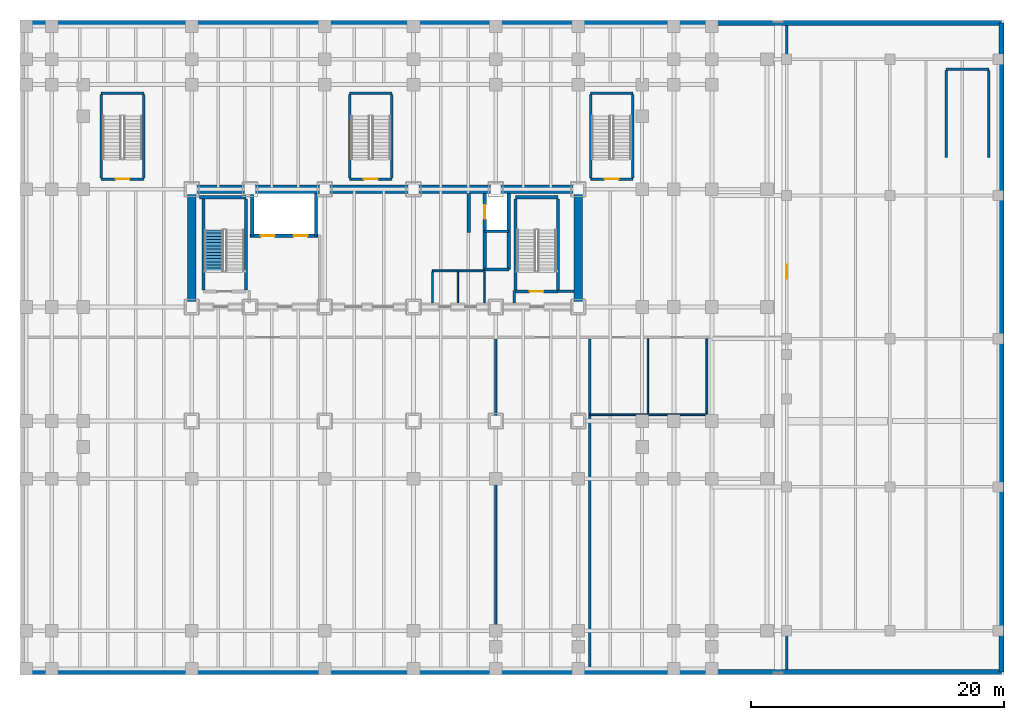
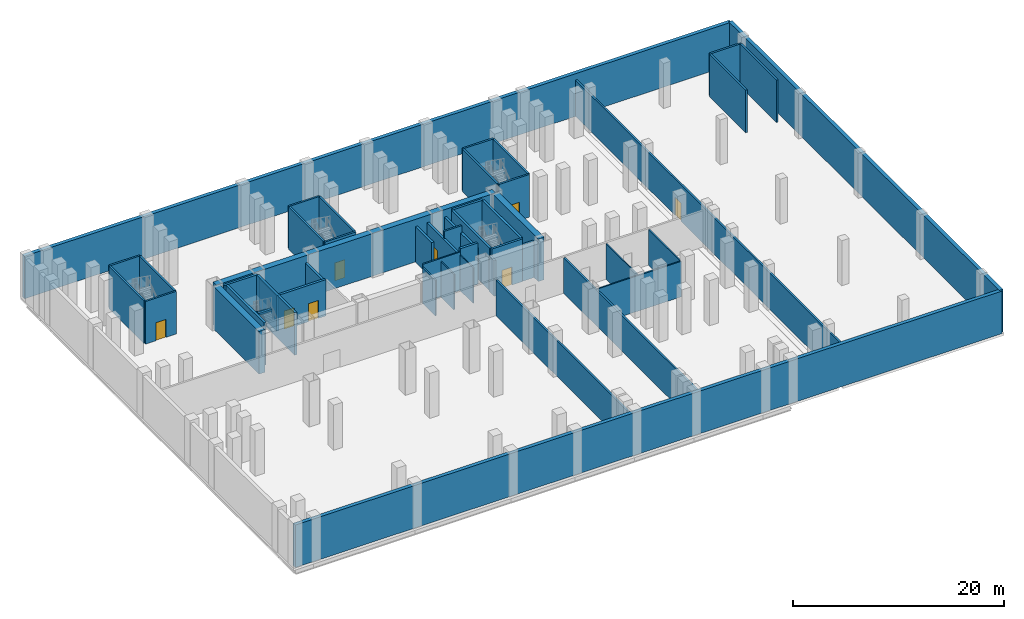
# One storey, part 9 of 15: 48 walls, 8 doors, 1 stair flight, 8 openings, 1 element without a shape of its own.
"""IFC4 building model written with IfcOpenShell, lengths in metres."""

from ifc_helpers import new_model, si_unit, direction, frame, frame_2d, origin, place, context, subcontext, project, spatial, polyline, rectangle, outline, extrude, material, layer, layer_set, type_object, element, fill, aggregate, save


model = new_model("IFC4")

# Units and contexts
model_context = context("Model", 3, precision=1e-05, world=origin(), true_north=direction((0.0, 1.0)))
body_context = subcontext(model_context, "Body", "Model", "MODEL_VIEW")
ifc_project = project(units=[si_unit("LENGTHUNIT", "METRE"), si_unit("AREAUNIT", "SQUARE_METRE"), si_unit("VOLUMEUNIT", "CUBIC_METRE"), si_unit("PLANEANGLEUNIT", "RADIAN"), si_unit("MASSUNIT", "GRAM", prefix="KILO")], contexts=[model_context])

# Site, building, storey
site_placement = place(None, origin())
site = spatial("IfcSite", under=ifc_project, at=site_placement, CompositionType="ELEMENT")
building_placement = place(site_placement, origin())
building = spatial("IfcBuilding", under=site, at=building_placement, Name="Noeulbin Bourse Tower", CompositionType="ELEMENT")
storey_placement = place(building_placement, frame((0.0, 0.0, -10.199951171875)))
storey = spatial("IfcBuildingStorey", under=building, at=storey_placement, Name="B02", CompositionType="ELEMENT", Elevation=-10.199951171875)

# Walls
ifc_material_1 = material(Name="Concrete C60/75", Category="concrete")
ifc_layer_1 = layer(ifc_material_1, 0.64990234375)
ifc_layer_set_1 = layer_set([ifc_layer_1], Name="Concrete C60/75")
wall_type_1 = type_object("IfcWallType", Name="WAL-CORE-650", PredefinedType="SHEAR", material=ifc_layer_set_1)
wall_1_placement = place(storey_placement, frame((13.5, 38.300048828125, 0.0), z_axis=(0.0, 0.0, 1.0), x_axis=(1.0, 0.0, 0.0)))
element("IfcWall", 1, at=wall_1_placement, inside=storey, type_object=wall_type_1, Name="Rear Core North Shear Wall B02", PredefinedType="SHEAR", context=body_context, shape_type="SweptSolid", body=[
    extrude(rectangle(XDim=30.5, YDim=0.64990234375, at=frame_2d((15.25, 0.0))), origin(), (0.0, 0.0, 1.0), 4.919921875),
])
for number, where, z_axis, x_axis, name in (
    (2, (13.5, 29.35009765625, 0.0), (0.0, 0.0, 1.0), (0.0, 1.0, 0.0), "Rear Core West Shear Wall B02"),
    (3, (44.0, 29.35009765625, 0.0), (0.0, 0.0, 1.0), (0.0, 1.0, 0.0), "Rear Core East Shear Wall B02"),
):
    element("IfcWall", number, at=place(storey_placement, frame(where, z_axis=z_axis, x_axis=x_axis)), inside=storey, type_object=wall_type_1, Name=name, PredefinedType="SHEAR", context=body_context, shape_type="SweptSolid", body=[
        extrude(rectangle(XDim=8.599853515625, YDim=0.64990234375, at=frame_2d((4.2998046875, 0.0))), origin(), (0.0, 0.0, 1.0), 4.919921875),
    ])
ifc_material_2 = material(Name="Concrete C40/50", Category="concrete")
ifc_layer_2 = layer(ifc_material_2, 0.199951171875)
ifc_layer_set_2 = layer_set([ifc_layer_2], Name="Concrete C40/50")
wall_type_2 = type_object("IfcWallType", Name="WAL-FIRE-200", PredefinedType="STANDARD", material=ifc_layer_set_2)
wall_2_placement = place(storey_placement, frame((73.02001953125, 47.760009765625, 0.0), z_axis=(0.0, 0.0, 1.0), x_axis=(1.0, 0.0, 0.0)))
element("IfcWall", 4, at=wall_2_placement, inside=storey, type_object=wall_type_2, Name="Stair MST2 Substructure Shear Pier N B02", PredefinedType="STANDARD", context=body_context, shape_type="SweptSolid", body=[
    extrude(rectangle(XDim=3.39990234375, YDim=0.199951171875, at=frame_2d((1.699951171875, 0.0))), origin(), (0.0, 0.0, 1.0), 4.919921875),
])
for number, where, z_axis, x_axis, name in (
    (5, (73.0400390625, 40.800048828125, 0.0), (0.0, 0.0, 1.0), (0.0, 1.0, 0.0), "Stair MST2 Substructure Shear Pier W B02"),
    (6, (76.39990234375, 40.800048828125, 0.0), (0.0, 0.0, 1.0), (0.0, 1.0, 0.0), "Stair MST2 Substructure Shear Pier E B02"),
):
    element("IfcWall", number, at=place(storey_placement, frame(where, z_axis=z_axis, x_axis=x_axis)), inside=storey, type_object=wall_type_2, Name=name, PredefinedType="STANDARD", context=body_context, shape_type="SweptSolid", body=[
        extrude(rectangle(XDim=6.85986328125, YDim=0.199951171875, at=frame_2d((3.429931640625, 0.0))), origin(), (0.0, 0.0, 1.0), 4.919921875),
    ])

# Wall, opening, door
wall_3_placement = place(storey_placement, frame((6.360107421875, 39.10009765625, 0.0), z_axis=(0.0, 0.0, 1.0), x_axis=(1.0, 0.0, 0.0)))
wall_3 = element("IfcWall", 7, at=wall_3_placement, inside=storey, type_object=wall_type_2, Name="Stair STS1 South Wall B02", PredefinedType="STANDARD", context=body_context, shape_type="SweptSolid", body=[
    extrude(rectangle(XDim=3.35986328125, YDim=0.199951171875, at=frame_2d((1.679931640625, 0.0))), origin(), (0.0, 0.0, 1.0), 4.919921875),
])
opening_1_placement = place(wall_3_placement, frame((1.1298828125, 0.0, 0.0)))
opening_1 = element("IfcOpeningElement", 8, at=opening_1_placement, cuts=wall_3, Name="Opening FD-11", PredefinedType="OPENING", context=body_context, shape_type="SweptSolid", body=[
    extrude(rectangle(XDim=1.10009765625, YDim=2.080078125, at=frame_2d((0.550048828125, 1.0400390625))), frame((0.0, 0.10986328125, 0.0), z_axis=(0.0, -1.0, 0.0), x_axis=(1.0, 0.0, 0.0)), (0.0, 0.0, 1.0), 0.219970703125),
])
ifc_material_3 = material(Name="Fire-Rated Insulated Steel", Category="steel")
door_type_1 = type_object("IfcDoorType", Name="DR-FD60-1100", OperationType="SINGLE_SWING_LEFT", PredefinedType="DOOR", material=ifc_material_3)
door_1_placement = place(opening_1_placement, origin())
door_1 = element("IfcDoor", 9, at=door_1_placement, inside=storey, type_object=door_type_1, Name="Escape Stair Door STS1-B02", OperationType="SINGLE_SWING_RIGHT", OverallHeight=2.080078125, OverallWidth=1.10009765625, PredefinedType="DOOR", context=body_context, shape_type="SweptSolid", body=[
    extrude(rectangle(XDim=1.10009765625, YDim=2.080078125, at=frame_2d((0.550048828125, 1.0400390625))), frame((0.0, 0.02490234375, 0.0), z_axis=(0.0, -1.0, 0.0), x_axis=(1.0, 0.0, 0.0)), (0.0, 0.0, 1.0), 0.050048828125),
])
fill(opening_1, door_1)

# Walls
wall_4_placement = place(storey_placement, frame((6.360107421875, 45.8798828125, 0.0), z_axis=(0.0, 0.0, 1.0), x_axis=(1.0, 0.0, 0.0)))
element("IfcWall", 10, at=wall_4_placement, inside=storey, type_object=wall_type_2, Name="Stair STS1 North Wall B02", PredefinedType="STANDARD", context=body_context, shape_type="SweptSolid", body=[
    extrude(rectangle(XDim=3.35986328125, YDim=0.199951171875, at=frame_2d((1.679931640625, 0.0))), origin(), (0.0, 0.0, 1.0), 4.919921875),
])
for number, where, z_axis, x_axis, name in (
    (11, (6.3798828125, 39.199951171875, 0.0), (0.0, 0.0, 1.0), (0.0, 1.0, 0.0), "Stair STS1 West Wall B02"),
    (12, (9.699951171875, 39.199951171875, 0.0), (0.0, 0.0, 1.0), (0.0, 1.0, 0.0), "Stair STS1 East Wall B02"),
):
    element("IfcWall", number, at=place(storey_placement, frame(where, z_axis=z_axis, x_axis=x_axis)), inside=storey, type_object=wall_type_2, Name=name, PredefinedType="STANDARD", context=body_context, shape_type="SweptSolid", body=[
        extrude(rectangle(XDim=6.580078125, YDim=0.199951171875, at=frame_2d((3.2900390625, 0.0))), origin(), (0.0, 0.0, 1.0), 4.919921875),
    ])

# Wall, opening, door
wall_5_placement = place(storey_placement, frame((25.9599609375, 39.10009765625, 0.0), z_axis=(0.0, 0.0, 1.0), x_axis=(1.0, 0.0, 0.0)))
wall_5 = element("IfcWall", 13, at=wall_5_placement, inside=storey, type_object=wall_type_2, Name="Stair STS2 South Wall B02", PredefinedType="STANDARD", context=body_context, shape_type="SweptSolid", body=[
    extrude(rectangle(XDim=3.360107421875, YDim=0.199951171875, at=frame_2d((1.68017578125, 0.0))), origin(), (0.0, 0.0, 1.0), 4.919921875),
])
opening_2_placement = place(wall_5_placement, frame((1.1298828125, 0.0, 0.0)))
opening_2 = element("IfcOpeningElement", 14, at=opening_2_placement, cuts=wall_5, Name="Opening FD-11", PredefinedType="OPENING", context=body_context, shape_type="SweptSolid", body=[
    extrude(rectangle(XDim=1.10009765625, YDim=2.080078125, at=frame_2d((0.550048828125, 1.0400390625))), frame((0.0, 0.10986328125, 0.0), z_axis=(0.0, -1.0, 0.0), x_axis=(1.0, 0.0, 0.0)), (0.0, 0.0, 1.0), 0.219970703125),
])
door_2_placement = place(opening_2_placement, origin())
door_2 = element("IfcDoor", 15, at=door_2_placement, inside=storey, type_object=door_type_1, Name="Escape Stair Door STS2-B02", OperationType="SINGLE_SWING_RIGHT", OverallHeight=2.080078125, OverallWidth=1.10009765625, PredefinedType="DOOR", context=body_context, shape_type="SweptSolid", body=[
    extrude(rectangle(XDim=1.10009765625, YDim=2.080078125, at=frame_2d((0.550048828125, 1.0400390625))), frame((0.0, 0.02490234375, 0.0), z_axis=(0.0, -1.0, 0.0), x_axis=(1.0, 0.0, 0.0)), (0.0, 0.0, 1.0), 0.050048828125),
])
fill(opening_2, door_2)

# Walls
wall_6_placement = place(storey_placement, frame((25.9599609375, 45.8798828125, 0.0), z_axis=(0.0, 0.0, 1.0), x_axis=(1.0, 0.0, 0.0)))
element("IfcWall", 16, at=wall_6_placement, inside=storey, type_object=wall_type_2, Name="Stair STS2 North Wall B02", PredefinedType="STANDARD", context=body_context, shape_type="SweptSolid", body=[
    extrude(rectangle(XDim=3.360107421875, YDim=0.199951171875, at=frame_2d((1.68017578125, 0.0))), origin(), (0.0, 0.0, 1.0), 4.919921875),
])
for number, where, z_axis, x_axis, name in (
    (17, (25.97998046875, 39.199951171875, 0.0), (0.0, 0.0, 1.0), (0.0, 1.0, 0.0), "Stair STS2 West Wall B02"),
    (18, (29.300048828125, 39.199951171875, 0.0), (0.0, 0.0, 1.0), (0.0, 1.0, 0.0), "Stair STS2 East Wall B02"),
):
    element("IfcWall", number, at=place(storey_placement, frame(where, z_axis=z_axis, x_axis=x_axis)), inside=storey, type_object=wall_type_2, Name=name, PredefinedType="STANDARD", context=body_context, shape_type="SweptSolid", body=[
        extrude(rectangle(XDim=6.580078125, YDim=0.199951171875, at=frame_2d((3.2900390625, 0.0))), origin(), (0.0, 0.0, 1.0), 4.919921875),
    ])

# Wall, opening, door
wall_7_placement = place(storey_placement, frame((44.9599609375, 39.10009765625, 0.0), z_axis=(0.0, 0.0, 1.0), x_axis=(1.0, 0.0, 0.0)))
wall_7 = element("IfcWall", 19, at=wall_7_placement, inside=storey, type_object=wall_type_2, Name="Stair STS3 South Wall B02", PredefinedType="STANDARD", context=body_context, shape_type="SweptSolid", body=[
    extrude(rectangle(XDim=3.360107421875, YDim=0.199951171875, at=frame_2d((1.68017578125, 0.0))), origin(), (0.0, 0.0, 1.0), 4.919921875),
])
opening_3_placement = place(wall_7_placement, frame((1.1298828125, 0.0, 0.0)))
opening_3 = element("IfcOpeningElement", 20, at=opening_3_placement, cuts=wall_7, Name="Opening FD-11", PredefinedType="OPENING", context=body_context, shape_type="SweptSolid", body=[
    extrude(rectangle(XDim=1.10009765625, YDim=2.080078125, at=frame_2d((0.550048828125, 1.0400390625))), frame((0.0, 0.10986328125, 0.0), z_axis=(0.0, -1.0, 0.0), x_axis=(1.0, 0.0, 0.0)), (0.0, 0.0, 1.0), 0.219970703125),
])
door_3_placement = place(opening_3_placement, origin())
door_3 = element("IfcDoor", 21, at=door_3_placement, inside=storey, type_object=door_type_1, Name="Escape Stair Door STS3-B02", OperationType="SINGLE_SWING_RIGHT", OverallHeight=2.080078125, OverallWidth=1.10009765625, PredefinedType="DOOR", context=body_context, shape_type="SweptSolid", body=[
    extrude(rectangle(XDim=1.10009765625, YDim=2.080078125, at=frame_2d((0.550048828125, 1.0400390625))), frame((0.0, 0.02490234375, 0.0), z_axis=(0.0, -1.0, 0.0), x_axis=(1.0, 0.0, 0.0)), (0.0, 0.0, 1.0), 0.050048828125),
])
fill(opening_3, door_3)

# Walls
wall_8_placement = place(storey_placement, frame((44.9599609375, 45.8798828125, 0.0), z_axis=(0.0, 0.0, 1.0), x_axis=(1.0, 0.0, 0.0)))
element("IfcWall", 22, at=wall_8_placement, inside=storey, type_object=wall_type_2, Name="Stair STS3 North Wall B02", PredefinedType="STANDARD", context=body_context, shape_type="SweptSolid", body=[
    extrude(rectangle(XDim=3.360107421875, YDim=0.199951171875, at=frame_2d((1.68017578125, 0.0))), origin(), (0.0, 0.0, 1.0), 4.919921875),
])
for number, where, z_axis, x_axis, name in (
    (23, (44.97998046875, 39.199951171875, 0.0), (0.0, 0.0, 1.0), (0.0, 1.0, 0.0), "Stair STS3 West Wall B02"),
    (24, (48.300048828125, 39.199951171875, 0.0), (0.0, 0.0, 1.0), (0.0, 1.0, 0.0), "Stair STS3 East Wall B02"),
):
    element("IfcWall", number, at=place(storey_placement, frame(where, z_axis=z_axis, x_axis=x_axis)), inside=storey, type_object=wall_type_2, Name=name, PredefinedType="STANDARD", context=body_context, shape_type="SweptSolid", body=[
        extrude(rectangle(XDim=6.580078125, YDim=0.199951171875, at=frame_2d((3.2900390625, 0.0))), origin(), (0.0, 0.0, 1.0), 4.919921875),
    ])
wall_9_placement = place(storey_placement, frame((42.39990234375, 30.239990234375, 0.0), z_axis=(0.0, 0.0, 1.0), x_axis=(1.0, 0.0, 0.0)))
element("IfcWall", 25, at=wall_9_placement, inside=storey, type_object=wall_type_2, Name="Interior Partition Wall B02-03", PredefinedType="STANDARD", context=body_context, shape_type="SweptSolid", body=[
    extrude(rectangle(XDim=1.26513671875, YDim=0.199951171875, at=frame_2d((0.632568359375, 0.0))), origin(), (0.0, 0.0, 1.0), 4.199951171875),
])
for number, where, z_axis, x_axis, name in (
    (26, (37.5, 0.39990234375, 0.0), (0.0, 0.0, 1.0), (0.0, 1.0, 0.0), "Interior Partition Wall B02-05"),
    (27, (44.89990234375, 0.39990234375, 0.0), (0.0, 0.0, 1.0), (0.0, 1.0, 0.0), "Interior Partition Wall B02-06"),
):
    element("IfcWall", number, at=place(storey_placement, frame(where, z_axis=z_axis, x_axis=x_axis)), inside=storey, type_object=wall_type_2, Name=name, PredefinedType="STANDARD", context=body_context, shape_type="SweptSolid", body=[
        extrude(rectangle(XDim=26.090087890625, YDim=0.199951171875, at=frame_2d((13.044921875, 0.0))), origin(), (0.0, 0.0, 1.0), 4.099853515625),
    ])

# Wall, opening, door
wall_10_placement = place(storey_placement, frame((60.449951171875, 0.39990234375, 0.0), z_axis=(0.0, 0.0, 1.0), x_axis=(0.0, 1.0, 0.0)))
wall_10 = element("IfcWall", 28, at=wall_10_placement, inside=storey, type_object=wall_type_2, Name="Interior Partition Wall B02-09", PredefinedType="STANDARD", context=body_context, shape_type="SweptSolid", body=[
    extrude(rectangle(XDim=50.800048828125, YDim=0.199951171875, at=frame_2d((25.39990234375, 0.0))), origin(), (0.0, 0.0, 1.0), 4.199951171875),
])
opening_4_placement = place(wall_10_placement, frame((30.85009765625, 0.0, 0.0)))
opening_4 = element("IfcOpeningElement", 29, at=opening_4_placement, cuts=wall_10, Name="Opening FD-11", PredefinedType="OPENING", context=body_context, shape_type="SweptSolid", body=[
    extrude(rectangle(XDim=1.10009765625, YDim=2.080078125, at=frame_2d((0.550048828125, 1.0400390625))), frame((0.0, 0.10986328125, 0.0), z_axis=(0.0, -1.0, 0.0), x_axis=(1.0, 0.0, 0.0)), (0.0, 0.0, 1.0), 0.219970703125),
])
door_4_placement = place(opening_4_placement, origin())
door_4 = element("IfcDoor", 30, at=door_4_placement, inside=storey, type_object=door_type_1, Name="Interior Door B02-05", OperationType="SINGLE_SWING_RIGHT", OverallHeight=2.080078125, OverallWidth=1.10009765625, PredefinedType="DOOR", context=body_context, shape_type="SweptSolid", body=[
    extrude(rectangle(XDim=1.10009765625, YDim=2.080078125, at=frame_2d((0.550048828125, 1.0400390625))), frame((0.0, 0.02490234375, 0.0), z_axis=(0.0, -1.0, 0.0), x_axis=(1.0, 0.0, 0.0)), (0.0, 0.0, 1.0), 0.050048828125),
])
fill(opening_4, door_4)

# Walls
wall_11_placement = place(storey_placement, frame((38.949951171875, 29.3349609375, 0.0), z_axis=(0.0, 0.0, 1.0), x_axis=(0.0, 1.0, 0.0)))
element("IfcWall", 31, at=wall_11_placement, inside=storey, type_object=wall_type_2, Name="Interior Partition Wall B02-11", PredefinedType="STANDARD", context=body_context, shape_type="SweptSolid", body=[
    extrude(rectangle(XDim=0.965087890625, YDim=0.199951171875, at=frame_2d((0.482421875, 0.0))), origin(), (0.0, 0.0, 1.0), 4.099853515625),
])
ifc_material_4 = material(Name="Steel Stud Gypsum Partition", Category="steel")
ifc_layer_3 = layer(ifc_material_4, 0.1201171875)
ifc_layer_set_3 = layer_set([ifc_layer_3], Name="Steel Stud Gypsum Partition")
wall_type_3 = type_object("IfcWallType", Name="WAL-PRT-120", PredefinedType="PARTITIONING", material=ifc_layer_set_3)
wall_12_placement = place(storey_placement, frame((49.5, 20.5849609375, 0.0), z_axis=(0.0, 0.0, 1.0), x_axis=(0.0, 1.0, 0.0)))
element("IfcWall", 32, at=wall_12_placement, inside=storey, type_object=wall_type_3, Name="Interior Partition Wall B02-07", PredefinedType="PARTITIONING", context=body_context, shape_type="SweptSolid", body=[
    extrude(rectangle(XDim=5.905029296875, YDim=0.1201171875, at=frame_2d((2.95263671875, 0.0))), origin(), (0.0, 0.0, 1.0), 4.099853515625),
])
for number, where, z_axis, x_axis, name in (
    (33, (36.60009765625, 29.3349609375, 0.0), (0.0, 0.0, 1.0), (0.0, 1.0, 0.0), "Interior Partition Wall B02-14"),
    (34, (34.5, 29.3349609375, 0.0), (0.0, 0.0, 1.0), (0.0, 1.0, 0.0), "Interior Partition Wall B02-15"),
):
    element("IfcWall", number, at=place(storey_placement, frame(where, z_axis=z_axis, x_axis=x_axis)), inside=storey, type_object=wall_type_3, Name=name, PredefinedType="PARTITIONING", context=body_context, shape_type="SweptSolid", body=[
        extrude(rectangle(XDim=2.429931640625, YDim=0.1201171875, at=frame_2d((1.21484375, 0.0))), origin(), (0.0, 0.0, 1.0), 4.099853515625),
    ])
ifc_material_5 = material(Name="Steel Stud Acoustic Gypsum Board", Category="steel")
ifc_layer_4 = layer(ifc_material_5, 0.14990234375)
ifc_layer_set_4 = layer_set([ifc_layer_4], Name="Steel Stud Acoustic Gypsum Board")
wall_type_4 = type_object("IfcWallType", Name="WAL-PRT-150", PredefinedType="PARTITIONING", material=ifc_layer_set_4)
wall_13_placement = place(storey_placement, frame((44.89990234375, 20.5, 0.0), z_axis=(0.0, 0.0, 1.0), x_axis=(1.0, 0.0, 0.0)))
element("IfcWall", 35, at=wall_13_placement, inside=storey, type_object=wall_type_4, Name="Interior Partition Wall B02-02", PredefinedType="PARTITIONING", context=body_context, shape_type="SweptSolid", body=[
    extrude(rectangle(XDim=9.25, YDim=0.14990234375, at=frame_2d((4.625, 0.0))), origin(), (0.0, 0.0, 1.0), 4.099853515625),
])
wall_14_placement = place(storey_placement, frame((32.5, 31.85009765625, 0.0), z_axis=(0.0, 0.0, 1.0), x_axis=(1.0, 0.0, 0.0)))
element("IfcWall", 36, at=wall_14_placement, inside=storey, type_object=wall_type_4, Name="Interior Partition Wall B02-04", PredefinedType="PARTITIONING", context=body_context, shape_type="SweptSolid", body=[
    extrude(rectangle(XDim=4.10009765625, YDim=0.14990234375, at=frame_2d((2.050048828125, 0.0))), origin(), (0.0, 0.0, 1.0), 4.449951171875),
])
wall_15_placement = place(storey_placement, frame((54.14990234375, 20.5849609375, 0.0), z_axis=(0.0, 0.0, 1.0), x_axis=(0.0, 1.0, 0.0)))
element("IfcWall", 37, at=wall_15_placement, inside=storey, type_object=wall_type_4, Name="Interior Partition Wall B02-08", PredefinedType="PARTITIONING", context=body_context, shape_type="SweptSolid", body=[
    extrude(rectangle(XDim=5.905029296875, YDim=0.14990234375, at=frame_2d((2.95263671875, 0.0))), origin(), (0.0, 0.0, 1.0), 4.099853515625),
])
wall_16_placement = place(storey_placement, frame((32.5, 29.3349609375, 0.0), z_axis=(0.0, 0.0, 1.0), x_axis=(0.0, 1.0, 0.0)))
element("IfcWall", 38, at=wall_16_placement, inside=storey, type_object=wall_type_4, Name="Interior Partition Wall B02-13", PredefinedType="PARTITIONING", context=body_context, shape_type="SweptSolid", body=[
    extrude(rectangle(XDim=2.429931640625, YDim=0.14990234375, at=frame_2d((1.21484375, 0.0))), origin(), (0.0, 0.0, 1.0), 4.099853515625),
])
ifc_material_6 = material(Name="Concrete C50/60", Category="concrete")
ifc_layer_5 = layer(ifc_material_6, 0.39990234375)
ifc_layer_set_5 = layer_set([ifc_layer_5], Name="Concrete C50/60")
wall_type_5 = type_object("IfcWallType", Name="WAL-RET-400", PredefinedType="SOLIDWALL", material=ifc_layer_set_5)
wall_17_placement = place(storey_placement, frame((0.199951171875, 0.199951171875, 0.0), z_axis=(0.0, 0.0, 1.0), x_axis=(1.0, 0.0, 0.0)))
element("IfcWall", 39, at=wall_17_placement, inside=storey, type_object=wall_type_5, Name="Basement Perimeter Retaining Wall B02-S", PredefinedType="SOLIDWALL", context=body_context, shape_type="SweptSolid", body=[
    extrude(rectangle(XDim=77.199951171875, YDim=0.39990234375, at=frame_2d((38.60009765625, 0.0))), origin(), (0.0, 0.0, 1.0), 4.919921875),
])
wall_18_placement = place(storey_placement, frame((77.39990234375, 0.199951171875, 0.0), z_axis=(0.0, 0.0, 1.0), x_axis=(0.0, 1.0, 0.0)))
element("IfcWall", 40, at=wall_18_placement, inside=storey, type_object=wall_type_5, Name="Basement Perimeter Retaining Wall B02-E", PredefinedType="SOLIDWALL", context=body_context, shape_type="SweptSolid", body=[
    extrude(rectangle(XDim=51.199951171875, YDim=0.39990234375, at=frame_2d((25.60009765625, 0.0))), origin(), (0.0, 0.0, 1.0), 4.919921875),
])
wall_19_placement = place(storey_placement, frame((77.39990234375, 51.39990234375, 0.0), z_axis=(0.0, 0.0, 1.0), x_axis=(-1.0, 0.0, 0.0)))
element("IfcWall", 41, at=wall_19_placement, inside=storey, type_object=wall_type_5, Name="Basement Perimeter Retaining Wall B02-N", PredefinedType="SOLIDWALL", context=body_context, shape_type="SweptSolid", body=[
    extrude(rectangle(XDim=77.199951171875, YDim=0.39990234375, at=frame_2d((38.60009765625, 0.0))), origin(), (0.0, 0.0, 1.0), 4.919921875),
])
ifc_layer_6 = layer(ifc_material_2, 0.25)
ifc_layer_set_6 = layer_set([ifc_layer_6], Name="Concrete C40/50")
wall_type_6 = type_object("IfcWallType", Name="WAL-SHFT-250", PredefinedType="STANDARD", material=ifc_layer_set_6)
wall_20_placement = place(storey_placement, frame((14.10009765625, 37.6689453125, 0.0), z_axis=(0.0, 0.0, 1.0), x_axis=(1.0, 0.0, 0.0)))
element("IfcWall", 42, at=wall_20_placement, inside=storey, type_object=wall_type_6, Name="Stair ST-1 North Shaft Wall B02", PredefinedType="STANDARD", context=body_context, shape_type="SweptSolid", body=[
    extrude(rectangle(XDim=3.669921875, YDim=0.25, at=frame_2d((1.8349609375, 0.0))), origin(), (0.0, 0.0, 1.0), 4.919921875),
])
for number, where, z_axis, x_axis, name in (
    (43, (14.425048828125, 30.360107421875, 0.0), (0.0, 0.0, 1.0), (0.0, 1.0, 0.0), "Stair ST-1 West Shaft Wall B02"),
    (44, (17.77490234375, 30.360107421875, 0.0), (0.0, 0.0, 1.0), (0.0, 1.0, 0.0), "Stair ST-1 East Shaft Wall B02"),
):
    element("IfcWall", number, at=place(storey_placement, frame(where, z_axis=z_axis, x_axis=x_axis)), inside=storey, type_object=wall_type_6, Name=name, PredefinedType="STANDARD", context=body_context, shape_type="SweptSolid", body=[
        extrude(rectangle(XDim=7.183837890625, YDim=0.25, at=frame_2d((3.591796875, 0.0))), origin(), (0.0, 0.0, 1.0), 4.919921875),
    ])

# Wall, opening, door
wall_21_placement = place(storey_placement, frame((39.06005859375, 30.235107421875, 0.0), z_axis=(0.0, 0.0, 1.0), x_axis=(1.0, 0.0, 0.0)))
wall_21 = element("IfcWall", 45, at=wall_21_placement, inside=storey, type_object=wall_type_6, Name="Stair ST-2 South Shaft Wall B02", PredefinedType="STANDARD", context=body_context, shape_type="SweptSolid", body=[
    extrude(rectangle(XDim=3.33984375, YDim=0.25, at=frame_2d((1.669921875, 0.0))), origin(), (0.0, 0.0, 1.0), 4.919921875),
])
opening_5_placement = place(wall_21_placement, frame((1.10009765625, 0.0, 0.0)))
opening_5 = element("IfcOpeningElement", 46, at=opening_5_placement, cuts=wall_21, Name="Opening FD-11", PredefinedType="OPENING", context=body_context, shape_type="SweptSolid", body=[
    extrude(rectangle(XDim=1.10009765625, YDim=2.080078125, at=frame_2d((0.550048828125, 1.0400390625))), frame((0.0, 0.135009765625, 0.0), z_axis=(0.0, -1.0, 0.0), x_axis=(1.0, 0.0, 0.0)), (0.0, 0.0, 1.0), 0.27001953125),
])
door_5_placement = place(opening_5_placement, origin())
door_5 = element("IfcDoor", 47, at=door_5_placement, inside=storey, type_object=door_type_1, Name="Protected Stair Entry Door ST2-B02", OperationType="SINGLE_SWING_LEFT", OverallHeight=2.080078125, OverallWidth=1.10009765625, PredefinedType="DOOR", context=body_context, shape_type="SweptSolid", body=[
    extrude(rectangle(XDim=1.10009765625, YDim=2.080078125, at=frame_2d((0.550048828125, 1.0400390625))), frame((0.0, 0.02490234375, 0.0), z_axis=(0.0, -1.0, 0.0), x_axis=(1.0, 0.0, 0.0)), (0.0, 0.0, 1.0), 0.050048828125),
])
fill(opening_5, door_5)

# Walls
wall_22_placement = place(storey_placement, frame((39.06005859375, 37.6689453125, 0.0), z_axis=(0.0, 0.0, 1.0), x_axis=(1.0, 0.0, 0.0)))
element("IfcWall", 48, at=wall_22_placement, inside=storey, type_object=wall_type_6, Name="Stair ST-2 North Shaft Wall B02", PredefinedType="STANDARD", context=body_context, shape_type="SweptSolid", body=[
    extrude(rectangle(XDim=3.33984375, YDim=0.25, at=frame_2d((1.669921875, 0.0))), origin(), (0.0, 0.0, 1.0), 4.919921875),
])
for number, where, z_axis, x_axis, name in (
    (49, (39.054931640625, 30.360107421875, 0.0), (0.0, 0.0, 1.0), (0.0, 1.0, 0.0), "Stair ST-2 West Shaft Wall B02"),
    (50, (42.405029296875, 30.360107421875, 0.0), (0.0, 0.0, 1.0), (0.0, 1.0, 0.0), "Stair ST-2 East Shaft Wall B02"),
):
    element("IfcWall", number, at=place(storey_placement, frame(where, z_axis=z_axis, x_axis=x_axis)), inside=storey, type_object=wall_type_6, Name=name, PredefinedType="STANDARD", context=body_context, shape_type="SweptSolid", body=[
        extrude(rectangle(XDim=7.183837890625, YDim=0.25, at=frame_2d((3.591796875, 0.0))), origin(), (0.0, 0.0, 1.0), 4.919921875),
    ])

# Wall, openings, doors
wall_23_placement = place(storey_placement, frame((18.10009765625, 34.6201171875, 0.0), z_axis=(0.0, 0.0, 1.0), x_axis=(1.0, 0.0, 0.0)))
wall_23 = element("IfcWall", 51, at=wall_23_placement, inside=storey, type_object=wall_type_6, Name="Firefighting Lift Shaft Front B02", PredefinedType="STANDARD", context=body_context, shape_type="SweptSolid", body=[
    extrude(rectangle(XDim=5.349853515625, YDim=0.25, at=frame_2d((2.6748046875, 0.0))), origin(), (0.0, 0.0, 1.0), 4.199951171875),
])
opening_6_placement = place(wall_23_placement, frame((0.85009765625, 0.0, 0.0)))
opening_6 = element("IfcOpeningElement", 52, at=opening_6_placement, cuts=wall_23, Name="Opening LD-11", PredefinedType="OPENING", context=body_context, shape_type="SweptSolid", body=[
    extrude(rectangle(XDim=1.10009765625, YDim=2.080078125, at=frame_2d((0.550048828125, 1.0400390625))), frame((0.0, 0.135009765625, 0.0), z_axis=(0.0, -1.0, 0.0), x_axis=(1.0, 0.0, 0.0)), (0.0, 0.0, 1.0), 0.27001953125),
])
opening_7_placement = place(wall_23_placement, frame((3.449951171875, 0.0, 0.0)))
opening_7 = element("IfcOpeningElement", 53, at=opening_7_placement, cuts=wall_23, Name="Opening LD-11", PredefinedType="OPENING", context=body_context, shape_type="SweptSolid", body=[
    extrude(rectangle(XDim=1.10009765625, YDim=2.080078125, at=frame_2d((0.550048828125, 1.0400390625))), frame((0.0, 0.135009765625, 0.0), z_axis=(0.0, -1.0, 0.0), x_axis=(1.0, 0.0, 0.0)), (0.0, 0.0, 1.0), 0.27001953125),
])
ifc_material_7 = material(Name="Brushed Stainless Steel 316", Category="steel")
door_type_2 = type_object("IfcDoorType", Name="DR-LIFT-1100", OperationType="SLIDING_TO_LEFT", PredefinedType="DOOR", material=ifc_material_7)
door_6_placement = place(opening_6_placement, origin())
door_6 = element("IfcDoor", 54, at=door_6_placement, inside=storey, type_object=door_type_2, Name="Lift Landing Door LD-FL-01-B02", OperationType="SLIDING_TO_LEFT", OverallHeight=2.080078125, OverallWidth=1.10009765625, PredefinedType="DOOR", context=body_context, shape_type="SweptSolid", body=[
    extrude(rectangle(XDim=1.10009765625, YDim=2.080078125, at=frame_2d((0.550048828125, 1.0400390625))), frame((0.0, 0.02490234375, 0.0), z_axis=(0.0, -1.0, 0.0), x_axis=(1.0, 0.0, 0.0)), (0.0, 0.0, 1.0), 0.050048828125),
])
fill(opening_6, door_6)
door_7_placement = place(opening_7_placement, origin())
door_7 = element("IfcDoor", 55, at=door_7_placement, inside=storey, type_object=door_type_2, Name="Lift Landing Door LD-FL-02-B02", OperationType="SLIDING_TO_LEFT", OverallHeight=2.080078125, OverallWidth=1.10009765625, PredefinedType="DOOR", context=body_context, shape_type="SweptSolid", body=[
    extrude(rectangle(XDim=1.10009765625, YDim=2.080078125, at=frame_2d((0.550048828125, 1.0400390625))), frame((0.0, 0.02490234375, 0.0), z_axis=(0.0, -1.0, 0.0), x_axis=(1.0, 0.0, 0.0)), (0.0, 0.0, 1.0), 0.050048828125),
])
fill(opening_7, door_7)

# Wall, opening, door
wall_24_placement = place(storey_placement, frame((36.6201171875, 31.949951171875, 0.0), z_axis=(0.0, 0.0, 1.0), x_axis=(0.0, 1.0, 0.0)))
wall_24 = element("IfcWall", 56, at=wall_24_placement, inside=storey, type_object=wall_type_6, Name="Service Lift Shaft Wall B02", PredefinedType="STANDARD", context=body_context, shape_type="SweptSolid", body=[
    extrude(rectangle(XDim=6.0, YDim=0.25, at=frame_2d((3.0, 0.0))), origin(), (0.0, 0.0, 1.0), 4.099853515625),
])
opening_8_placement = place(wall_24_placement, frame((4.0, 0.0, 0.0)))
opening_8 = element("IfcOpeningElement", 57, at=opening_8_placement, cuts=wall_24, Name="Opening LD-11", PredefinedType="OPENING", context=body_context, shape_type="SweptSolid", body=[
    extrude(rectangle(XDim=1.10009765625, YDim=2.080078125, at=frame_2d((0.550048828125, 1.0400390625))), frame((0.0, 0.135009765625, 0.0), z_axis=(0.0, -1.0, 0.0), x_axis=(1.0, 0.0, 0.0)), (0.0, 0.0, 1.0), 0.27001953125),
])
door_8_placement = place(opening_8_placement, origin())
door_8 = element("IfcDoor", 58, at=door_8_placement, inside=storey, type_object=door_type_2, Name="Lift Landing Door LD-SV-01-B02", OperationType="SLIDING_TO_LEFT", OverallHeight=2.080078125, OverallWidth=1.10009765625, PredefinedType="DOOR", context=body_context, shape_type="SweptSolid", body=[
    extrude(rectangle(XDim=1.10009765625, YDim=2.080078125, at=frame_2d((0.550048828125, 1.0400390625))), frame((0.0, 0.02490234375, 0.0), z_axis=(0.0, -1.0, 0.0), x_axis=(1.0, 0.0, 0.0)), (0.0, 0.0, 1.0), 0.050048828125),
])
fill(opening_8, door_8)

# Walls
wall_25_placement = place(storey_placement, frame((38.52001953125, 31.949951171875, 0.0), z_axis=(0.0, 0.0, 1.0), x_axis=(0.0, 1.0, 0.0)))
element("IfcWall", 59, at=wall_25_placement, inside=storey, type_object=wall_type_6, Name="Service Lift East Shaft Wall B02", PredefinedType="STANDARD", context=body_context, shape_type="SweptSolid", body=[
    extrude(rectangle(XDim=6.0, YDim=0.25, at=frame_2d((3.0, 0.0))), origin(), (0.0, 0.0, 1.0), 4.099853515625),
])
wall_26_placement = place(storey_placement, frame((36.6201171875, 31.949951171875, 0.0), z_axis=(0.0, 0.0, 1.0), x_axis=(1.0, 0.0, 0.0)))
element("IfcWall", 60, at=wall_26_placement, inside=storey, type_object=wall_type_6, Name="Service Lift South Shaft Wall B02", PredefinedType="STANDARD", context=body_context, shape_type="SweptSolid", body=[
    extrude(rectangle(XDim=1.89990234375, YDim=0.25, at=frame_2d((0.949951171875, 0.0))), origin(), (0.0, 0.0, 1.0), 4.780029296875),
])
for number, where, z_axis, x_axis, name in (
    (61, (18.280029296875, 34.6201171875, 0.0), (0.0, 0.0, 1.0), (0.0, 1.0, 0.0), "Firefighting Lift West Shaft Wall B02"),
    (62, (23.320068359375, 34.6201171875, 0.0), (0.0, 0.0, 1.0), (0.0, 1.0, 0.0), "Firefighting Lift East Shaft Wall B02"),
):
    element("IfcWall", number, at=place(storey_placement, frame(where, z_axis=z_axis, x_axis=x_axis)), inside=storey, type_object=wall_type_6, Name=name, PredefinedType="STANDARD", context=body_context, shape_type="SweptSolid", body=[
        extrude(rectangle(XDim=3.329833984375, YDim=0.25, at=frame_2d((1.6650390625, 0.0))), origin(), (0.0, 0.0, 1.0), 4.099853515625),
    ])
wall_27_placement = place(storey_placement, frame((35.360107421875, 34.89990234375, 0.0), z_axis=(0.0, 0.0, 1.0), x_axis=(0.0, 1.0, 0.0)))
element("IfcWall", 63, at=wall_27_placement, inside=storey, type_object=wall_type_6, Name="High-Rise Lift East Shaft Wall B02", PredefinedType="STANDARD", context=body_context, shape_type="SweptSolid", body=[
    extrude(rectangle(XDim=3.050048828125, YDim=0.25, at=frame_2d((1.52490234375, 0.0))), origin(), (0.0, 0.0, 1.0), 4.099853515625),
])
wall_28_placement = place(storey_placement, frame((36.6201171875, 34.97998046875, 0.0), z_axis=(0.0, 0.0, 1.0), x_axis=(1.0, 0.0, 0.0)))
element("IfcWall", 64, at=wall_28_placement, inside=storey, type_object=wall_type_6, Name="Service Lift Sub-South Wall B02", PredefinedType="STANDARD", context=body_context, shape_type="SweptSolid", body=[
    extrude(rectangle(XDim=1.89990234375, YDim=0.199951171875, at=frame_2d((0.949951171875, 0.0))), origin(), (0.0, 0.0, 1.0), 4.919921875),
])

# Stair, stair flight
stair_type = type_object("IfcStairType", Name="STR-CORE-1560", PredefinedType="HALF_TURN_STAIR", material=ifc_material_2)
stair_placement = place(storey_placement, origin())
stair = element("IfcStair", 65, at=stair_placement, inside=storey, type_object=stair_type, Name="B02 ST-1", PredefinedType="HALF_TURN_STAIR")
stair_flight_type = type_object("IfcStairFlightType", Name="SFL-CORE-1560", PredefinedType="STRAIGHT", material=ifc_material_2)
stair_flight_placement = place(storey_placement, frame((15.27490234375, 35.0859375, 2.599853515625), z_axis=(0.0, 0.0, 1.0), x_axis=(0.0, -1.0, 0.0)))
stair_flight = element("IfcStairFlight", 66, at=stair_flight_placement, type_object=stair_flight_type, Name="ST-1 flight 2", NumberOfRisers=14, NumberOfTreads=13, PredefinedType="STRAIGHT", RiserHeight=0.185714286, TreadLength=0.252, context=body_context, shape_type="SweptSolid", body=[
    extrude(outline(polyline([(0.0, 0.0), (0.0, 0.185791015625), (0.251953125, 0.185791015625), (0.251953125, 0.371337890625), (0.50390625, 0.371337890625), (0.50390625, 0.55712890625), (0.756103515625, 0.55712890625), (0.756103515625, 0.742919921875), (1.008056640625, 0.742919921875), (1.008056640625, 0.928466796875), (1.260009765625, 0.928466796875), (1.260009765625, 1.1142578125), (1.511962890625, 1.1142578125), (1.511962890625, 1.300048828125), (1.763916015625, 1.300048828125), (1.763916015625, 1.485595703125), (2.01611328125, 1.485595703125), (2.01611328125, 1.67138671875), (2.26806640625, 1.67138671875), (2.26806640625, 1.857177734375), (2.52001953125, 1.857177734375), (2.52001953125, 2.04296875), (2.77197265625, 2.04296875), (2.77197265625, 2.228515625), (3.02392578125, 2.228515625), (3.02392578125, 2.414306640625), (3.27587890625, 2.414306640625), (3.27587890625, 2.60009765625), (3.27587890625, 2.190673828125), (0.30322265625, 0.0), (0.0, 0.0)])), frame((0.0, 0.72509765625, 0.0), z_axis=(0.0, -1.0, 0.0), x_axis=(1.0, 0.0, 0.0)), (0.0, 0.0, 1.0), 1.449951171875),
])
aggregate(stair, [stair_flight])

save(model, "model.ifc")
